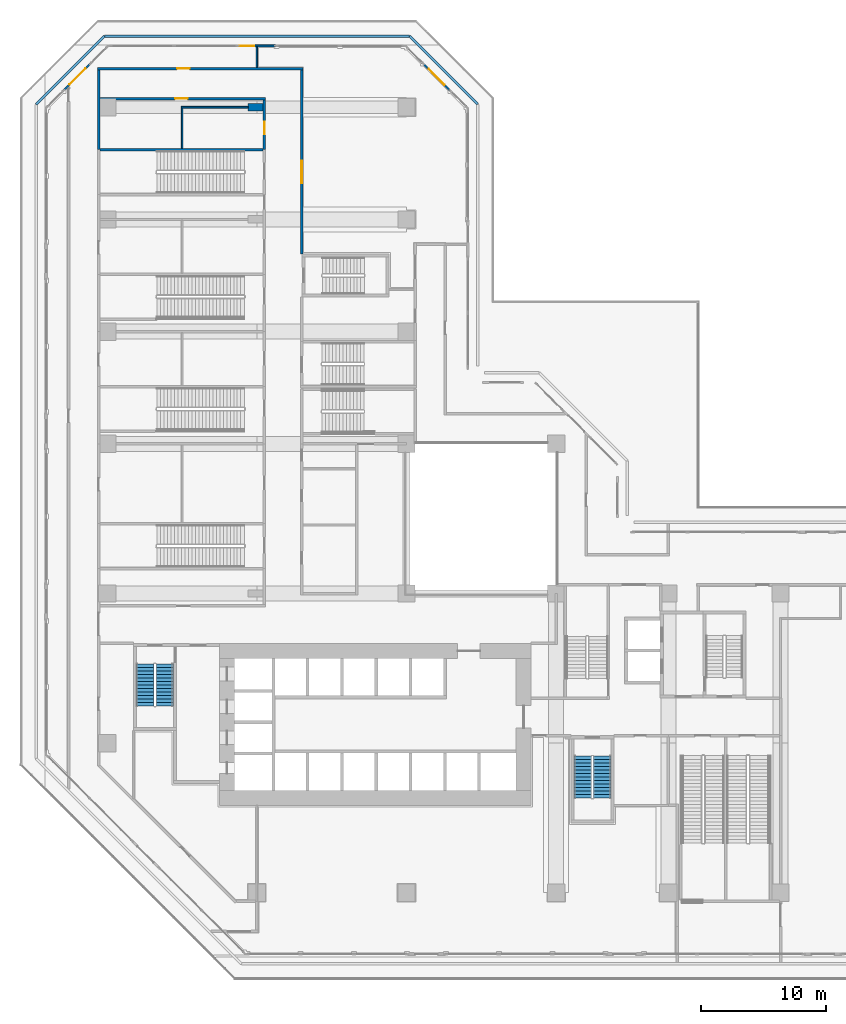
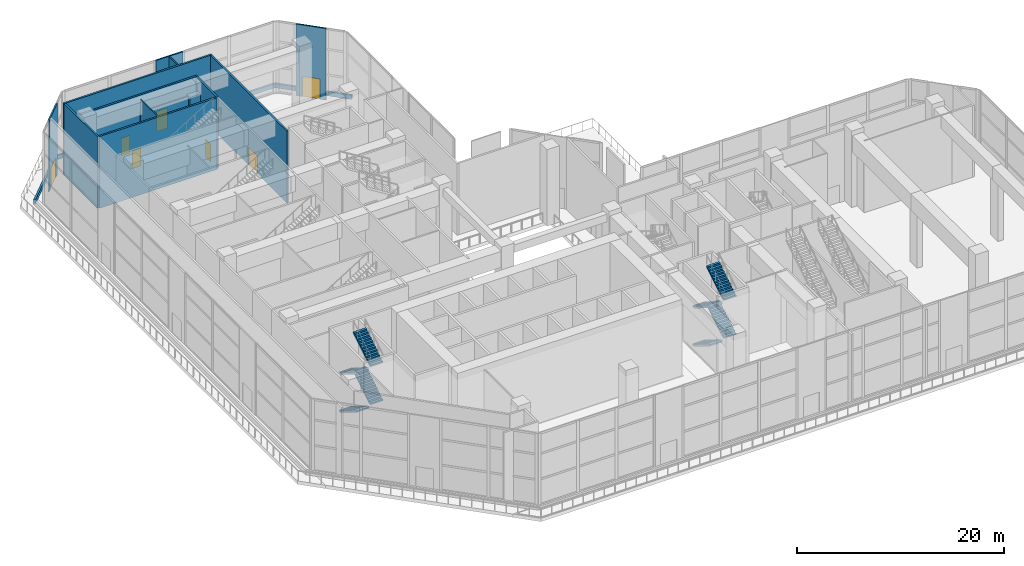
# One storey, part 18 of 28: 16 walls, 8 stair flights, 7 doors, 7 openings, 2 elements without a shape of their own.
"""IFC4 building model written with IfcOpenShell, lengths in metres."""

import ifcopenshell
import ifcopenshell.guid

model = None  # the IFC model being written
_history = None  # IfcOwnerHistory: only IFC2X3 demands one
_inside = {}  # id of a spatial element -> (the spatial element, [elements in it])
_under = {}  # id of a project, library or spatial element -> (it, [spatial elements below it])
_declared = {}  # id of a project -> (the project, [libraries it declares])
_typed = {}  # id of a type object -> (the type object, [elements of that type])
_made_of = {}  # id of a material, layer set ... -> (it, [elements and type objects made of it])


def new_model(schema):
    """Start an empty IFC model of exactly this schema.

    Asked for "IFC4X3", IfcOpenShell would pick the latest addendum, in which some entities
    have other attributes; the version numbers below select the first issue.
    IFC2X3 requires an IfcOwnerHistory on every rooted entity: one is made here for all.
    """
    global model, _history
    if schema == "IFC4X3":
        model = ifcopenshell.file(schema_version=(4, 3, 0, 0))
    else:
        model = ifcopenshell.file(schema=schema)
    _inside.clear()
    _under.clear()
    _declared.clear()
    _typed.clear()
    _made_of.clear()
    _history = None
    if model.schema == "IFC2X3":
        org = make("IfcOrganization", Name="unknown")
        user = make(
            "IfcPersonAndOrganization",
            ThePerson=make("IfcPerson", FamilyName="unknown"),
            TheOrganization=org,
        )
        app = make(
            "IfcApplication",
            ApplicationDeveloper=org,
            Version="unknown",
            ApplicationFullName="unknown",
            ApplicationIdentifier="unknown",
        )
        _history = make(
            "IfcOwnerHistory",
            OwningUser=user,
            OwningApplication=app,
            ChangeAction="ADDED",
            CreationDate=0,
        )
    return model


def make(cls, **values):
    """One entity of the class cls with the attributes given. An attribute that is None is left unset."""
    return model.create_entity(
        cls, **{name: value for name, value in values.items() if value is not None}
    )


def rooted(cls, **values):
    """An entity with a GlobalId (a new one), such as an element, a storey or a relation."""
    return make(cls, GlobalId=ifcopenshell.guid.new(), OwnerHistory=_history, **values)


def si_unit(unit_type, name, prefix=None):
    """IfcSIUnit, for example si_unit("LENGTHUNIT", "METRE", prefix="MILLI")."""
    return make("IfcSIUnit", UnitType=unit_type, Prefix=prefix, Name=name)


def assignment(units):
    """IfcUnitAssignment: the units of a project."""
    return None if units is None else make("IfcUnitAssignment", Units=units)


def point(xyz):
    """IfcCartesianPoint."""
    return None if xyz is None else make("IfcCartesianPoint", Coordinates=xyz)


def direction(xyz):
    """IfcDirection."""
    return None if xyz is None else make("IfcDirection", DirectionRatios=xyz)


def frame(location, z_axis=None, x_axis=None):
    """IfcAxis2Placement3D, a coordinate frame: its origin and axes. An axis left out is left unset."""
    return make(
        "IfcAxis2Placement3D",
        Location=point(location),
        Axis=direction(z_axis),
        RefDirection=direction(x_axis),
    )


def frame_2d(location, x_axis=None):
    """IfcAxis2Placement2D, a coordinate frame in the plane: its origin and x axis."""
    return make(
        "IfcAxis2Placement2D", Location=point(location), RefDirection=direction(x_axis)
    )


def origin():
    """The frame at (0, 0, 0) with its axes left unset."""
    return frame((0.0, 0.0, 0.0))


def place(relative_to, where):
    """IfcLocalPlacement: puts the frame where relative to a parent placement (None: the world)."""
    return make(
        "IfcLocalPlacement", PlacementRelTo=relative_to, RelativePlacement=where
    )


def context(
    kind, dimensions, precision=None, world=None, true_north=None, identifier=None
):
    """IfcGeometricRepresentationContext, for example the 3D "Model" context."""
    return make(
        "IfcGeometricRepresentationContext",
        ContextIdentifier=identifier,
        ContextType=kind,
        CoordinateSpaceDimension=dimensions,
        Precision=precision,
        WorldCoordinateSystem=world,
        TrueNorth=true_north,
    )


def subcontext(parent, identifier, kind, view, scale=None):
    """IfcGeometricRepresentationSubContext, for example "Body" below "Model"."""
    return make(
        "IfcGeometricRepresentationSubContext",
        ContextIdentifier=identifier,
        ContextType=kind,
        ParentContext=parent,
        TargetScale=scale,
        TargetView=view,
    )


def project(units=None, contexts=None):
    """IfcProject with its units and contexts."""
    return rooted(
        "IfcProject",
        Name="project",
        RepresentationContexts=contexts,
        UnitsInContext=assignment(units),
    )


def spatial(cls, under=None, at=None, **own):
    """A site, building, storey or space (cls), placed at a placement, below another one or the project."""
    s = rooted(cls, ObjectPlacement=at, **own)
    if under is not None:
        _under.setdefault(under.id(), (under, []))[1].append(s)
    return s


def polyline(points):
    """IfcPolyline through the points."""
    return make("IfcPolyline", Points=[point(p) for p in points])


def profile(cls, at=None, kind="AREA", **sizes):
    """A parametric profile (cls). Its sizes go by their IFC names, for example OverallWidth=200.0."""
    return make(cls, ProfileType=kind, Position=at, **sizes)


def rectangle(**sizes):
    """IfcRectangleProfileDef."""
    return profile("IfcRectangleProfileDef", **sizes)


def outline(outer, holes=None, kind="AREA"):
    """IfcArbitraryClosedProfileDef: a profile drawn as a closed curve; with holes, ...WithVoids."""
    if holes is None:
        return make("IfcArbitraryClosedProfileDef", ProfileType=kind, OuterCurve=outer)
    return make(
        "IfcArbitraryProfileDefWithVoids",
        ProfileType=kind,
        OuterCurve=outer,
        InnerCurves=holes,
    )


def extrude(swept, where, along, depth):
    """IfcExtrudedAreaSolid: the profile swept, set in the frame where, extruded along a direction by depth."""
    return make(
        "IfcExtrudedAreaSolid",
        SweptArea=swept,
        Position=where,
        ExtrudedDirection=direction(along),
        Depth=depth,
    )


def shape(context_of_items, identifier, shape_type, items):
    """IfcShapeRepresentation: the items that make up one representation, for example the "Body"."""
    return make(
        "IfcShapeRepresentation",
        ContextOfItems=context_of_items,
        RepresentationIdentifier=identifier,
        RepresentationType=shape_type,
        Items=items,
    )


def material(Name=None, Category=None):
    """IfcMaterial."""
    return make("IfcMaterial", Name=Name, Category=Category)


def layer(
    of_material, thickness, ventilated=None, Name=None, Category=None, Priority=None
):
    """IfcMaterialLayer: one layer of a wall or slab, of a material (None: an air gap)."""
    return make(
        "IfcMaterialLayer",
        Material=of_material,
        LayerThickness=thickness,
        IsVentilated=ventilated,
        Name=Name,
        Category=Category,
        Priority=Priority,
    )


def layer_set(layers, Name=None):
    """IfcMaterialLayerSet."""
    return make("IfcMaterialLayerSet", MaterialLayers=layers, LayerSetName=Name)


def made_of(thing, what):
    """Note that an element or type object is made of a material, layer set ...; save() writes the relation."""
    if what is not None:
        _made_of.setdefault(what.id(), (what, []))[1].append(thing)
    return thing


def type_object(cls, material=None, **own):
    """A type object (cls), such as IfcWallType, which elements share."""
    return made_of(rooted(cls, **own), material)


def element(
    cls,
    number,
    at=None,
    inside=None,
    cuts=None,
    type_object=None,
    material=None,
    context=None,
    identifier="Body",
    shape_type=None,
    held_by="IfcProductDefinitionShape",
    body=None,
    shapes=None,
    **own,
):
    """One element of the class cls, such as IfcWall. Its Tag is "e" and its number.

    at: its placement. inside: the storey or other place that contains it. cuts: it is an
    opening in that element (IfcRelVoidsElement). A single representation is given by context,
    identifier, shape_type and body (its items); several are given by shapes. held_by: the class
    of the entity that holds the representations. save() writes the other relations.
    """
    e = rooted(cls, Tag="e%d" % number, ObjectPlacement=at, **own)
    if body is not None:
        shapes = [shape(context, identifier, shape_type, body)]
    if shapes is not None:
        e.Representation = make(held_by, Representations=shapes)
    if inside is not None:
        _inside.setdefault(inside.id(), (inside, []))[1].append(e)
    if cuts is not None:
        rooted(
            "IfcRelVoidsElement", RelatingBuildingElement=cuts, RelatedOpeningElement=e
        )
    if type_object is not None:
        _typed.setdefault(type_object.id(), (type_object, []))[1].append(e)
    return made_of(e, material)


def fill(opening, filler):
    """IfcRelFillsElement: the door or window that sits in an opening."""
    return rooted(
        "IfcRelFillsElement",
        RelatingOpeningElement=opening,
        RelatedBuildingElement=filler,
    )


def aggregate(whole, parts):
    """IfcRelAggregates: a whole, such as a stair, and the parts it consists of."""
    return rooted("IfcRelAggregates", RelatingObject=whole, RelatedObjects=parts)


def save(model, path):
    """Write the relations noted so far, then the file.

    IfcRelAggregates (storeys below a building ...), IfcRelContainedInSpatialStructure (elements
    in a storey), IfcRelDefinesByType, IfcRelAssociatesMaterial and IfcRelDeclares: one each for
    every whole, place, type object, material and project.
    """
    for whole, parts in _under.values():
        aggregate(whole, parts)
    for where, things in _inside.values():
        rooted(
            "IfcRelContainedInSpatialStructure",
            RelatedElements=things,
            RelatingStructure=where,
        )
    for kind, things in _typed.values():
        rooted("IfcRelDefinesByType", RelatedObjects=things, RelatingType=kind)
    for what, things in _made_of.values():
        rooted("IfcRelAssociatesMaterial", RelatedObjects=things, RelatingMaterial=what)
    for by, libraries in _declared.values():
        rooted("IfcRelDeclares", RelatingContext=by, RelatedDefinitions=libraries)
    model.write(path)


model = new_model("IFC4")

# Units and contexts
model_context = context("Model", 3, precision=1e-05, world=origin(), true_north=direction((0.0, 1.0)))
body_context = subcontext(model_context, "Body", "Model", "MODEL_VIEW")
ifc_project = project(units=[si_unit("LENGTHUNIT", "METRE"), si_unit("AREAUNIT", "SQUARE_METRE"), si_unit("VOLUMEUNIT", "CUBIC_METRE"), si_unit("PLANEANGLEUNIT", "RADIAN"), si_unit("MASSUNIT", "GRAM", prefix="KILO")], contexts=[model_context])

# Site, building, storey
site_placement = place(None, origin())
site = spatial("IfcSite", under=ifc_project, at=site_placement, CompositionType="ELEMENT")
building_placement = place(site_placement, origin())
building = spatial("IfcBuilding", under=site, at=building_placement, Name="Chenar Terraces", CompositionType="ELEMENT")
storey_placement = place(building_placement, frame((0.0, 0.0, 26.39990234375)))
storey = spatial("IfcBuildingStorey", under=building, at=storey_placement, Name="L05", CompositionType="ELEMENT", Elevation=26.39990234375)

# Walls
ifc_material_1 = material(Name="Gypsum board on steel studs with mineral wool", Category="steel")
ifc_layer_1 = layer(ifc_material_1, 0.125)
ifc_layer_set_1 = layer_set([ifc_layer_1], Name="Gypsum board on steel studs with mineral wool")
wall_type_1 = type_object("IfcWallType", Name="Acoustic partition 125", PredefinedType="PARTITIONING", material=ifc_layer_set_1)
wall_1_placement = place(storey_placement, frame((5.93798828125, 63.0, 0.0), z_axis=(0.0, 0.0, 1.0), x_axis=(1.0, 0.0, 0.0)))
element("IfcWall", 1, at=wall_1_placement, inside=storey, type_object=wall_type_1, Name="Partition L05-026", PredefinedType="PARTITIONING", context=body_context, shape_type="SweptSolid", body=[
    extrude(rectangle(XDim=5.362060546875, YDim=0.125, at=frame_2d((2.68115234375, 0.0))), origin(), (0.0, 0.0, 1.0), 6.9501953125),
])
wall_2_placement = place(storey_placement, frame((6.0, 59.699951171875, 0.0), z_axis=(0.0, 0.0, 1.0), x_axis=(0.0, 1.0, 0.0)))
element("IfcWall", 2, at=wall_2_placement, inside=storey, type_object=wall_type_1, Name="Partition L05-030", PredefinedType="PARTITIONING", context=body_context, shape_type="SweptSolid", body=[
    extrude(rectangle(XDim=3.238037109375, YDim=0.125, at=frame_2d((1.619140625, 0.0))), origin(), (0.0, 0.0, 1.0), 8.4501953125),
])
wall_3_placement = place(storey_placement, frame((12.0, 66.199951171875, 0.0), z_axis=(0.0, 0.0, 1.0), x_axis=(0.0, 1.0, 0.0)))
element("IfcWall", 3, at=wall_3_placement, inside=storey, type_object=wall_type_1, Name="Partition L05-035", PredefinedType="PARTITIONING", context=body_context, shape_type="SweptSolid", body=[
    extrude(rectangle(XDim=1.651123046875, YDim=0.125, at=frame_2d((0.82568359375, 0.0))), origin(), (0.0, 0.0, 1.0), 8.4501953125),
])

# Wall, opening, door
ifc_material_2 = material(Name="Gypsum board on steel studs with fire boards", Category="steel")
ifc_layer_2 = layer(ifc_material_2, 0.199951171875)
ifc_layer_set_2 = layer_set([ifc_layer_2], Name="Gypsum board on steel studs with fire boards")
wall_type_2 = type_object("IfcWallType", Name="Corridor wall 200", PredefinedType="PARTITIONING", material=ifc_layer_set_2)
wall_4_placement = place(storey_placement, frame((-0.800048828125, 66.10009765625, 0.0), z_axis=(0.0, 0.0, 1.0), x_axis=(1.0, 0.0, 0.0)))
wall_4 = element("IfcWall", 4, at=wall_4_placement, inside=storey, type_object=wall_type_2, Name="Partition L05-002", PredefinedType="PARTITIONING", context=body_context, shape_type="SweptSolid", body=[
    extrude(rectangle(XDim=16.5, YDim=0.199951171875, at=frame_2d((8.25, 0.0))), origin(), (0.0, 0.0, 1.0), 8.4501953125),
])
opening_1_placement = place(wall_4_placement, frame((6.39990234375, 0.0, 0.0)))
opening_1 = element("IfcOpeningElement", 5, at=opening_1_placement, cuts=wall_4, Name="Opening DL05-27", PredefinedType="OPENING", context=body_context, shape_type="SweptSolid", body=[
    extrude(rectangle(XDim=1.0, YDim=2.10009765625, at=frame_2d((0.5, 1.050048828125))), frame((0.0, 0.10986328125, 0.0), z_axis=(0.0, -1.0, 0.0), x_axis=(1.0, 0.0, 0.0)), (0.0, 0.0, 1.0), 0.219970703125),
])
ifc_material_3 = material(Name="Steel-framed fire-resisting door leaf", Category="steel")
door_type_1 = type_object("IfcDoorType", Name="Fire door FD60 1000 x 2100", OperationType="SINGLE_SWING_LEFT", PredefinedType="DOOR", material=ifc_material_3)
door_1_placement = place(opening_1_placement, origin())
door_1 = element("IfcDoor", 6, at=door_1_placement, inside=storey, type_object=door_type_1, Name="Door DL05-27", OperationType="SINGLE_SWING_RIGHT", OverallHeight=2.10009765625, OverallWidth=1.0, PredefinedType="DOOR", context=body_context, shape_type="SweptSolid", body=[
    extrude(rectangle(XDim=1.0, YDim=2.10009765625, at=frame_2d((0.5, 1.050048828125))), frame((0.0, 0.02490234375, 0.0), z_axis=(0.0, -1.0, 0.0), x_axis=(1.0, 0.0, 0.0)), (0.0, 0.0, 1.0), 0.050048828125),
])
fill(opening_1, door_1)

# Wall
wall_5_placement = place(storey_placement, frame((-0.699951171875, 59.60009765625, 0.0), z_axis=(0.0, 0.0, 1.0), x_axis=(0.0, 1.0, 0.0)))
element("IfcWall", 7, at=wall_5_placement, inside=storey, type_object=wall_type_2, Name="Partition L05-011", PredefinedType="PARTITIONING", context=body_context, shape_type="SweptSolid", body=[
    extrude(rectangle(XDim=6.39990234375, YDim=0.199951171875, at=frame_2d((3.199951171875, 0.0))), origin(), (0.0, 0.0, 1.0), 8.4501953125),
])

# Wall, opening, door
wall_6_placement = place(storey_placement, frame((-0.60009765625, 63.699951171875, 0.0), z_axis=(0.0, 0.0, 1.0), x_axis=(1.0, 0.0, 0.0)))
wall_6 = element("IfcWall", 8, at=wall_6_placement, inside=storey, type_object=wall_type_2, Name="Partition L05-024", PredefinedType="PARTITIONING", context=body_context, shape_type="SweptSolid", body=[
    extrude(rectangle(XDim=13.300048828125, YDim=0.199951171875, at=frame_2d((6.64990234375, 0.0))), origin(), (0.0, 0.0, 1.0), 8.4501953125),
])
opening_2_placement = place(wall_6_placement, frame((6.050048828125, 0.0, 0.0)))
opening_2 = element("IfcOpeningElement", 9, at=opening_2_placement, cuts=wall_6, Name="Opening DL05-13", PredefinedType="OPENING", context=body_context, shape_type="SweptSolid", body=[
    extrude(rectangle(XDim=1.0, YDim=2.10009765625, at=frame_2d((0.5, 1.050048828125))), frame((0.0, 0.10986328125, 0.0), z_axis=(0.0, -1.0, 0.0), x_axis=(1.0, 0.0, 0.0)), (0.0, 0.0, 1.0), 0.219970703125),
])
door_2_placement = place(opening_2_placement, origin())
door_2 = element("IfcDoor", 10, at=door_2_placement, inside=storey, type_object=door_type_1, Name="Door DL05-13", OperationType="SINGLE_SWING_RIGHT", OverallHeight=2.10009765625, OverallWidth=1.0, PredefinedType="DOOR", context=body_context, shape_type="SweptSolid", body=[
    extrude(rectangle(XDim=1.0, YDim=2.10009765625, at=frame_2d((0.5, 1.050048828125))), frame((0.0, 0.02490234375, 0.0), z_axis=(0.0, -1.0, 0.0), x_axis=(1.0, 0.0, 0.0)), (0.0, 0.0, 1.0), 0.050048828125),
])
fill(opening_2, door_2)

wall_7_placement = place(storey_placement, frame((12.60009765625, 59.60009765625, 0.0), z_axis=(0.0, 0.0, 1.0), x_axis=(0.0, 1.0, 0.0)))
wall_7 = element("IfcWall", 11, at=wall_7_placement, inside=storey, type_object=wall_type_2, Name="Partition L05-044", PredefinedType="PARTITIONING", context=body_context, shape_type="SweptSolid", body=[
    extrude(rectangle(XDim=4.0, YDim=0.199951171875, at=frame_2d((2.0, 0.0))), origin(), (0.0, 0.0, 1.0), 8.4501953125),
])
opening_3_placement = place(wall_7_placement, frame((1.25, 0.0, 0.0)))
opening_3 = element("IfcOpeningElement", 12, at=opening_3_placement, cuts=wall_7, Name="Opening DL05-8", PredefinedType="OPENING", context=body_context, shape_type="SweptSolid", body=[
    extrude(rectangle(XDim=1.0, YDim=2.10009765625, at=frame_2d((0.5, 1.050048828125))), frame((0.0, 0.10986328125, 0.0), z_axis=(0.0, -1.0, 0.0), x_axis=(1.0, 0.0, 0.0)), (0.0, 0.0, 1.0), 0.219970703125),
])
door_3_placement = place(opening_3_placement, origin())
door_3 = element("IfcDoor", 13, at=door_3_placement, inside=storey, type_object=door_type_1, Name="Door DL05-8", OperationType="SINGLE_SWING_RIGHT", OverallHeight=2.10009765625, OverallWidth=1.0, PredefinedType="DOOR", context=body_context, shape_type="SweptSolid", body=[
    extrude(rectangle(XDim=1.0, YDim=2.10009765625, at=frame_2d((0.5, 1.050048828125))), frame((0.0, 0.02490234375, 0.0), z_axis=(0.0, -1.0, 0.0), x_axis=(1.0, 0.0, 0.0)), (0.0, 0.0, 1.0), 0.050048828125),
])
fill(opening_3, door_3)

wall_8_placement = place(storey_placement, frame((15.60009765625, 51.22509765625, 0.0), z_axis=(0.0, 0.0, 1.0), x_axis=(0.0, 1.0, 0.0)))
wall_8 = element("IfcWall", 14, at=wall_8_placement, inside=storey, type_object=wall_type_2, Name="Partition L05-050", PredefinedType="PARTITIONING", context=body_context, shape_type="SweptSolid", body=[
    extrude(rectangle(XDim=14.77490234375, YDim=0.199951171875, at=frame_2d((7.387451171875, 0.0))), origin(), (0.0, 0.0, 1.0), 8.4501953125),
])
opening_4_placement = place(wall_8_placement, frame((5.675048828125, 0.0, 0.0)))
opening_4 = element("IfcOpeningElement", 15, at=opening_4_placement, cuts=wall_8, Name="Opening DL05-20", PredefinedType="OPENING", context=body_context, shape_type="SweptSolid", body=[
    extrude(rectangle(XDim=1.800048828125, YDim=2.10009765625, at=frame_2d((0.89990234375, 1.050048828125))), frame((0.0, 0.10986328125, 0.0), z_axis=(0.0, -1.0, 0.0), x_axis=(1.0, 0.0, 0.0)), (0.0, 0.0, 1.0), 0.219970703125),
])
ifc_material_4 = material(Name="Steel-framed fire-resisting door leaf", Category="steel")
door_type_2 = type_object("IfcDoorType", Name="Fire double door FD60 1800 x 2100", OperationType="DOUBLE_DOOR_SINGLE_SWING", PredefinedType="DOOR", material=ifc_material_4)
door_4_placement = place(opening_4_placement, origin())
door_4 = element("IfcDoor", 16, at=door_4_placement, inside=storey, type_object=door_type_2, Name="Door DL05-20", OperationType="DOUBLE_DOOR_SINGLE_SWING", OverallHeight=2.10009765625, OverallWidth=1.800048828125, PredefinedType="DOOR", context=body_context, shape_type="SweptSolid", body=[
    extrude(rectangle(XDim=1.800048828125, YDim=2.10009765625, at=frame_2d((0.89990234375, 1.050048828125))), frame((0.0, 0.02490234375, 0.0), z_axis=(0.0, -1.0, 0.0), x_axis=(1.0, 0.0, 0.0)), (0.0, 0.0, 1.0), 0.050048828125),
])
fill(opening_4, door_4)

ifc_material_5 = material(Name="Aluminium framed glazing", Category="aluminium")
ifc_layer_3 = layer(ifc_material_5, 0.14990234375)
ifc_layer_set_3 = layer_set([ifc_layer_3], Name="Aluminium framed glazing")
wall_type_3 = type_object("IfcWallType", Name="Podium glazed wall 150", PredefinedType="SOLIDWALL", material=ifc_layer_set_3)
wall_9_placement = place(storey_placement, frame((27.482421875, 64.361083984375, 0.0), z_axis=(0.0, 0.0, 1.0), x_axis=(-0.707106781187, 0.707106781187, 0.0)))
wall_9 = element("IfcWall", 17, at=wall_9_placement, inside=storey, type_object=wall_type_3, Name="Podium glazed wall", PredefinedType="SOLIDWALL", context=body_context, shape_type="SweptSolid", body=[
    extrude(rectangle(XDim=3.0, YDim=0.14990234375, at=frame_2d((1.5, 0.0))), origin(), (0.0, 0.0, 1.0), 8.4501953125),
])
opening_5_placement = place(wall_9_placement, frame((0.60009765625, 0.0, 0.0)))
opening_5 = element("IfcOpeningElement", 18, at=opening_5_placement, cuts=wall_9, Name="Opening DL05-T1", PredefinedType="OPENING", context=body_context, shape_type="SweptSolid", body=[
    extrude(rectangle(XDim=1.800048828125, YDim=2.39990234375, at=frame_2d((0.89990234375, 1.199951171875))), frame((0.0, 0.0849609375, 0.0), z_axis=(0.0, -1.0, 0.0), x_axis=(1.0, 0.0, 0.0)), (0.0, 0.0, 1.0), 0.169921875),
])
ifc_material_6 = material(Name="Low emissivity double glazing, aluminium frame", Category="aluminium")
door_type_3 = type_object("IfcDoorType", Name="Terrace glazed double door 1800 x 2400", OperationType="DOUBLE_DOOR_SINGLE_SWING", PredefinedType="DOOR", material=ifc_material_6)
door_5_placement = place(opening_5_placement, frame((1.800048828125, 0.0, 0.0), z_axis=(0.0, 0.0, 1.0), x_axis=(-1.0, 0.0, 0.0)))
door_5 = element("IfcDoor", 19, at=door_5_placement, inside=storey, type_object=door_type_3, Name="Terrace glazed door", OperationType="DOUBLE_DOOR_SINGLE_SWING", OverallHeight=2.39990234375, OverallWidth=1.800048828125, PredefinedType="DOOR", context=body_context, shape_type="SweptSolid", body=[
    extrude(rectangle(XDim=1.800048828125, YDim=2.39990234375, at=frame_2d((0.89990234375, 1.199951171875))), frame((0.0, 0.02490234375, 0.0), z_axis=(0.0, -1.0, 0.0), x_axis=(1.0, 0.0, 0.0)), (0.0, 0.0, 1.0), 0.050048828125),
])
fill(opening_5, door_5)

wall_10_placement = place(storey_placement, frame((13.5, 67.925048828125, 0.0), z_axis=(0.0, 0.0, 1.0), x_axis=(-1.0, 0.0, 0.0)))
wall_10 = element("IfcWall", 20, at=wall_10_placement, inside=storey, type_object=wall_type_3, Name="Podium glazed wall", PredefinedType="SOLIDWALL", context=body_context, shape_type="SweptSolid", body=[
    extrude(rectangle(XDim=3.0, YDim=0.14990234375, at=frame_2d((1.5, 0.0))), origin(), (0.0, 0.0, 1.0), 8.4501953125),
])
opening_6_placement = place(wall_10_placement, frame((1.699951171875, 0.0, 0.0)))
opening_6 = element("IfcOpeningElement", 21, at=opening_6_placement, cuts=wall_10, Name="Opening DL05-T1N", PredefinedType="OPENING", context=body_context, shape_type="SweptSolid", body=[
    extrude(rectangle(XDim=1.199951171875, YDim=2.39990234375, at=frame_2d((0.60009765625, 1.199951171875))), frame((0.0, 0.0849609375, 0.0), z_axis=(0.0, -1.0, 0.0), x_axis=(1.0, 0.0, 0.0)), (0.0, 0.0, 1.0), 0.169921875),
])
ifc_material_7 = material(Name="Low emissivity double glazing, aluminium frame", Category="aluminium")
door_type_4 = type_object("IfcDoorType", Name="Terrace glazed door 1200 x 2400", OperationType="SINGLE_SWING_LEFT", PredefinedType="DOOR", material=ifc_material_7)
door_6_placement = place(opening_6_placement, frame((1.199951171875, 0.0, 0.0), z_axis=(0.0, 0.0, 1.0), x_axis=(-1.0, 0.0, 0.0)))
door_6 = element("IfcDoor", 22, at=door_6_placement, inside=storey, type_object=door_type_4, Name="Terrace glazed door", OperationType="DOUBLE_DOOR_SINGLE_SWING", OverallHeight=2.39990234375, OverallWidth=1.199951171875, PredefinedType="DOOR", context=body_context, shape_type="SweptSolid", body=[
    extrude(rectangle(XDim=1.199951171875, YDim=2.39990234375, at=frame_2d((0.60009765625, 1.199951171875))), frame((0.0, 0.02490234375, 0.0), z_axis=(0.0, -1.0, 0.0), x_axis=(1.0, 0.0, 0.0)), (0.0, 0.0, 1.0), 0.050048828125),
])
fill(opening_6, door_6)

wall_11_placement = place(storey_placement, frame((-1.361083984375, 66.482421875, 0.0), z_axis=(0.0, 0.0, 1.0), x_axis=(-0.707106781187, -0.707106781187, 0.0)))
wall_11 = element("IfcWall", 23, at=wall_11_placement, inside=storey, type_object=wall_type_3, Name="Podium glazed wall", PredefinedType="SOLIDWALL", context=body_context, shape_type="SweptSolid", body=[
    extrude(rectangle(XDim=3.0, YDim=0.14990234375, at=frame_2d((1.5, 0.0))), origin(), (0.0, 0.0, 1.0), 8.4501953125),
])
opening_7_placement = place(wall_11_placement, frame((0.550048828125, 0.0, 0.0)))
opening_7 = element("IfcOpeningElement", 24, at=opening_7_placement, cuts=wall_11, Name="Opening DL05-T1", PredefinedType="OPENING", context=body_context, shape_type="SweptSolid", body=[
    extrude(rectangle(XDim=1.800048828125, YDim=2.39990234375, at=frame_2d((0.89990234375, 1.199951171875))), frame((0.0, 0.0849609375, 0.0), z_axis=(0.0, -1.0, 0.0), x_axis=(1.0, 0.0, 0.0)), (0.0, 0.0, 1.0), 0.169921875),
])
door_7_placement = place(opening_7_placement, origin())
door_7 = element("IfcDoor", 25, at=door_7_placement, inside=storey, type_object=door_type_3, Name="Terrace glazed door", OperationType="DOUBLE_DOOR_SINGLE_SWING", OverallHeight=2.39990234375, OverallWidth=1.800048828125, PredefinedType="DOOR", context=body_context, shape_type="SweptSolid", body=[
    extrude(rectangle(XDim=1.800048828125, YDim=2.39990234375, at=frame_2d((0.89990234375, 1.199951171875))), frame((0.0, 0.02490234375, 0.0), z_axis=(0.0, -1.0, 0.0), x_axis=(1.0, 0.0, 0.0)), (0.0, 0.0, 1.0), 0.050048828125),
])
fill(opening_7, door_7)

# Walls
ifc_material_8 = material(Name="Reinforced concrete C40/50", Category="concrete")
ifc_layer_4 = layer(ifc_material_8, 0.199951171875)
ifc_layer_set_4 = layer_set([ifc_layer_4], Name="Reinforced concrete C40/50")
wall_type_4 = type_object("IfcWallType", Name="Stair enclosure wall 200 concrete", PredefinedType="SOLIDWALL", material=ifc_layer_set_4)
wall_12_placement = place(storey_placement, frame((-0.60009765625, 59.60009765625, 0.0), z_axis=(0.0, 0.0, 1.0), x_axis=(1.0, 0.0, 0.0)))
element("IfcWall", 26, at=wall_12_placement, inside=storey, type_object=wall_type_4, Name="Stair enclosure wall L05-023", PredefinedType="SOLIDWALL", context=body_context, shape_type="SweptSolid", body=[
    extrude(rectangle(XDim=13.10009765625, YDim=0.199951171875, at=frame_2d((6.550048828125, 0.0))), origin(), (0.0, 0.0, 1.0), 8.4501953125),
])
ifc_material_9 = material(Name="Terracotta cladding on insulated backing", Category="masonry")
ifc_layer_5 = layer(ifc_material_9, 0.199951171875)
ifc_layer_set_5 = layer_set([ifc_layer_5], Name="Terracotta cladding on insulated backing")
wall_type_5 = type_object("IfcWallType", Name="Terrace parapet upstand 200", PredefinedType="PARAPET", material=ifc_layer_set_5)
wall_13_placement = place(storey_placement, frame((-5.699951171875, 63.23974609375, 0.0), z_axis=(0.0, 0.0, 1.0), x_axis=(0.707106781187, 0.707106781187, 0.0)))
element("IfcWall", 27, at=wall_13_placement, inside=storey, type_object=wall_type_5, Name="Terrace parapet", PredefinedType="PARAPET", context=body_context, shape_type="SweptSolid", body=[
    extrude(rectangle(XDim=7.721923828125, YDim=0.199951171875, at=frame_2d((3.86083984375, 0.0))), origin(), (0.0, 0.0, 1.0), 0.5),
])
wall_14_placement = place(storey_placement, frame((-0.23974609375, 68.699951171875, 0.0), z_axis=(0.0, 0.0, 1.0), x_axis=(1.0, 0.0, 0.0)))
element("IfcWall", 28, at=wall_14_placement, inside=storey, type_object=wall_type_5, Name="Terrace parapet", PredefinedType="PARAPET", context=body_context, shape_type="SweptSolid", body=[
    extrude(rectangle(XDim=24.4794921875, YDim=0.199951171875, at=frame_2d((12.23974609375, 0.0))), origin(), (0.0, 0.0, 1.0), 0.5),
])
wall_15_placement = place(storey_placement, frame((24.23974609375, 68.699951171875, 0.0), z_axis=(0.0, 0.0, 1.0), x_axis=(0.707106781187, -0.707106781187, 0.0)))
element("IfcWall", 29, at=wall_15_placement, inside=storey, type_object=wall_type_5, Name="Terrace parapet", PredefinedType="PARAPET", context=body_context, shape_type="SweptSolid", body=[
    extrude(rectangle(XDim=7.721923828125, YDim=0.199951171875, at=frame_2d((3.86083984375, 0.0))), origin(), (0.0, 0.0, 1.0), 0.5),
])
ifc_material_10 = material(Name="Reinforced concrete C60/75", Category="concrete")
ifc_layer_6 = layer(ifc_material_10, 0.60009765625)
ifc_layer_set_6 = layer_set([ifc_layer_6], Name="Reinforced concrete C60/75")
wall_type_6 = type_object("IfcWallType", Name="Transfer pier wall 600 concrete", PredefinedType="SOLIDWALL", material=ifc_layer_set_6)
wall_16_placement = place(storey_placement, frame((11.300048828125, 63.0, 0.0), z_axis=(0.0, 0.0, 1.0), x_axis=(1.0, 0.0, 0.0)))
element("IfcWall", 30, at=wall_16_placement, inside=storey, type_object=wall_type_6, Name="Transfer pier wall L05-P03", PredefinedType="SOLIDWALL", context=body_context, shape_type="SweptSolid", body=[
    extrude(rectangle(XDim=1.199951171875, YDim=0.60009765625, at=frame_2d((0.60009765625, 0.0))), origin(), (0.0, 0.0, 1.0), 6.9501953125),
])

# Stair, stair flights
ifc_material_11 = material(Name="Reinforced concrete C40/50", Category="concrete")
stair_type = type_object("IfcStairType", Name="Core stair 1400 half-turn", PredefinedType="HALF_TURN_STAIR", material=ifc_material_11)
placement = place(storey_placement, origin())
stair_1 = element("IfcStair", 31, at=placement, inside=storey, type_object=stair_type, Name="L05 Stair 1", PredefinedType="HALF_TURN_STAIR")
ifc_material_12 = material(Name="Reinforced concrete C40/50", Category="concrete")
stair_flight_type = type_object("IfcStairFlightType", Name="Core stair flight 1400", PredefinedType="STRAIGHT", material=ifc_material_12)
stair_flight_1_placement = place(storey_placement, frame((3.050048828125, 18.35009765625, 0.0), z_axis=(0.0, 0.0, 1.0), x_axis=(0.0, -1.0, 0.0)))
stair_flight_1 = element("IfcStairFlight", 32, at=stair_flight_1_placement, type_object=stair_flight_type, Name="ST1 flight 1", NumberOfRisers=13, NumberOfTreads=12, PredefinedType="STRAIGHT", RiserHeight=0.173076923, TreadLength=0.28, context=body_context, shape_type="SweptSolid", body=[
    extrude(outline(polyline([(-0.0029296875, 0.0), (-0.0029296875, 0.173095703125), (0.0, 0.173095703125), (0.280029296875, 0.173095703125), (0.280029296875, 0.34619140625), (0.56005859375, 0.34619140625), (0.56005859375, 0.519287109375), (0.840087890625, 0.519287109375), (0.840087890625, 0.6923828125), (1.1201171875, 0.6923828125), (1.1201171875, 0.865478515625), (1.39990234375, 0.865478515625), (1.39990234375, 1.03857421875), (1.679931640625, 1.03857421875), (1.679931640625, 1.21142578125), (1.9599609375, 1.21142578125), (1.9599609375, 1.384521484375), (2.239990234375, 1.384521484375), (2.239990234375, 1.5576171875), (2.52001953125, 1.5576171875), (2.52001953125, 1.730712890625), (2.800048828125, 1.730712890625), (2.800048828125, 1.90380859375), (3.080078125, 1.90380859375), (3.080078125, 2.076904296875), (3.360107421875, 2.076904296875), (3.363037109375, 2.076904296875), (3.363037109375, 1.900634765625), (3.360107421875, 1.900634765625), (0.28515625, 0.0), (-0.0029296875, 0.0)])), frame((0.0, 0.699951171875, 0.0), z_axis=(0.0, -1.0, 0.0), x_axis=(1.0, 0.0, 0.0)), (0.0, 0.0, 1.0), 1.39990234375),
])
stair_flight_2_placement = place(storey_placement, frame((4.60009765625, 14.989990234375, 2.25), z_axis=(0.0, 0.0, 1.0), x_axis=(0.0, 1.0, 0.0)))
stair_flight_2 = element("IfcStairFlight", 33, at=stair_flight_2_placement, type_object=stair_flight_type, Name="ST1 flight 2", NumberOfRisers=13, NumberOfTreads=12, PredefinedType="STRAIGHT", RiserHeight=0.173076923, TreadLength=0.28, context=body_context, shape_type="SweptSolid", body=[
    extrude(outline(polyline([(-0.0029296875, 0.0), (-0.0029296875, 0.173095703125), (0.0, 0.173095703125), (0.280029296875, 0.173095703125), (0.280029296875, 0.34619140625), (0.56005859375, 0.34619140625), (0.56005859375, 0.519287109375), (0.840087890625, 0.519287109375), (0.840087890625, 0.6923828125), (1.1201171875, 0.6923828125), (1.1201171875, 0.865478515625), (1.39990234375, 0.865478515625), (1.39990234375, 1.03857421875), (1.679931640625, 1.03857421875), (1.679931640625, 1.21142578125), (1.9599609375, 1.21142578125), (1.9599609375, 1.384521484375), (2.239990234375, 1.384521484375), (2.239990234375, 1.5576171875), (2.52001953125, 1.5576171875), (2.52001953125, 1.730712890625), (2.800048828125, 1.730712890625), (2.800048828125, 1.90380859375), (3.080078125, 1.90380859375), (3.080078125, 2.076904296875), (3.360107421875, 2.076904296875), (3.363037109375, 2.076904296875), (3.363037109375, 1.900634765625), (3.360107421875, 1.900634765625), (0.28515625, 0.0), (-0.0029296875, 0.0)])), frame((0.0, 0.699951171875, 0.0), z_axis=(0.0, -1.0, 0.0), x_axis=(1.0, 0.0, 0.0)), (0.0, 0.0, 1.0), 1.39990234375),
])
stair_flight_3_placement = place(storey_placement, frame((3.050048828125, 18.35009765625, 4.5), z_axis=(0.0, 0.0, 1.0), x_axis=(0.0, -1.0, 0.0)))
stair_flight_3 = element("IfcStairFlight", 34, at=stair_flight_3_placement, type_object=stair_flight_type, Name="ST1 flight 3", NumberOfRisers=13, NumberOfTreads=12, PredefinedType="STRAIGHT", RiserHeight=0.173076923, TreadLength=0.28, context=body_context, shape_type="SweptSolid", body=[
    extrude(outline(polyline([(-0.0029296875, 0.0), (-0.0029296875, 0.173095703125), (0.0, 0.173095703125), (0.280029296875, 0.173095703125), (0.280029296875, 0.34619140625), (0.56005859375, 0.34619140625), (0.56005859375, 0.519287109375), (0.840087890625, 0.519287109375), (0.840087890625, 0.6923828125), (1.1201171875, 0.6923828125), (1.1201171875, 0.865478515625), (1.39990234375, 0.865478515625), (1.39990234375, 1.03857421875), (1.679931640625, 1.03857421875), (1.679931640625, 1.21142578125), (1.9599609375, 1.21142578125), (1.9599609375, 1.384521484375), (2.239990234375, 1.384521484375), (2.239990234375, 1.5576171875), (2.52001953125, 1.5576171875), (2.52001953125, 1.730712890625), (2.800048828125, 1.730712890625), (2.800048828125, 1.90380859375), (3.080078125, 1.90380859375), (3.080078125, 2.076904296875), (3.360107421875, 2.076904296875), (3.363037109375, 2.076904296875), (3.363037109375, 1.900634765625), (3.360107421875, 1.900634765625), (0.28515625, 0.0), (-0.0029296875, 0.0)])), frame((0.0, 0.699951171875, 0.0), z_axis=(0.0, -1.0, 0.0), x_axis=(1.0, 0.0, 0.0)), (0.0, 0.0, 1.0), 1.39990234375),
])
stair_flight_4_placement = place(storey_placement, frame((4.60009765625, 14.989990234375, 6.75), z_axis=(0.0, 0.0, 1.0), x_axis=(0.0, 1.0, 0.0)))
stair_flight_4 = element("IfcStairFlight", 35, at=stair_flight_4_placement, type_object=stair_flight_type, Name="ST1 flight 4", NumberOfRisers=13, NumberOfTreads=12, PredefinedType="STRAIGHT", RiserHeight=0.173076923, TreadLength=0.28, context=body_context, shape_type="SweptSolid", body=[
    extrude(outline(polyline([(-0.0029296875, 0.0), (-0.0029296875, 0.173095703125), (0.0, 0.173095703125), (0.280029296875, 0.173095703125), (0.280029296875, 0.34619140625), (0.56005859375, 0.34619140625), (0.56005859375, 0.519287109375), (0.840087890625, 0.519287109375), (0.840087890625, 0.6923828125), (1.1201171875, 0.6923828125), (1.1201171875, 0.865478515625), (1.39990234375, 0.865478515625), (1.39990234375, 1.03857421875), (1.679931640625, 1.03857421875), (1.679931640625, 1.21142578125), (1.9599609375, 1.21142578125), (1.9599609375, 1.384521484375), (2.239990234375, 1.384521484375), (2.239990234375, 1.5576171875), (2.52001953125, 1.5576171875), (2.52001953125, 1.730712890625), (2.800048828125, 1.730712890625), (2.800048828125, 1.90380859375), (3.080078125, 1.90380859375), (3.080078125, 2.076904296875), (3.360107421875, 2.076904296875), (3.363037109375, 2.076904296875), (3.363037109375, 1.900634765625), (3.360107421875, 1.900634765625), (0.28515625, 0.0), (-0.0029296875, 0.0)])), frame((0.0, 0.699951171875, 0.0), z_axis=(0.0, -1.0, 0.0), x_axis=(1.0, 0.0, 0.0)), (0.0, 0.0, 1.0), 1.39990234375),
])
aggregate(stair_1, [stair_flight_1, stair_flight_2, stair_flight_3, stair_flight_4])

stair_2 = element("IfcStair", 36, at=placement, inside=storey, type_object=stair_type, Name="L05 Stair 2", PredefinedType="HALF_TURN_STAIR")
stair_flight_5_placement = place(storey_placement, frame((38.14990234375, 10.949951171875, 0.0), z_axis=(0.0, 0.0, 1.0), x_axis=(0.0, -1.0, 0.0)))
stair_flight_5 = element("IfcStairFlight", 37, at=stair_flight_5_placement, type_object=stair_flight_type, Name="ST2 flight 1", NumberOfRisers=13, NumberOfTreads=12, PredefinedType="STRAIGHT", RiserHeight=0.173076923, TreadLength=0.28, context=body_context, shape_type="SweptSolid", body=[
    extrude(outline(polyline([(-0.0029296875, 0.0), (-0.0029296875, 0.173095703125), (0.0, 0.173095703125), (0.280029296875, 0.173095703125), (0.280029296875, 0.34619140625), (0.56005859375, 0.34619140625), (0.56005859375, 0.519287109375), (0.840087890625, 0.519287109375), (0.840087890625, 0.6923828125), (1.1201171875, 0.6923828125), (1.1201171875, 0.865478515625), (1.39990234375, 0.865478515625), (1.39990234375, 1.03857421875), (1.679931640625, 1.03857421875), (1.679931640625, 1.21142578125), (1.9599609375, 1.21142578125), (1.9599609375, 1.384521484375), (2.239990234375, 1.384521484375), (2.239990234375, 1.5576171875), (2.52001953125, 1.5576171875), (2.52001953125, 1.730712890625), (2.800048828125, 1.730712890625), (2.800048828125, 1.90380859375), (3.080078125, 1.90380859375), (3.080078125, 2.076904296875), (3.360107421875, 2.076904296875), (3.363037109375, 2.076904296875), (3.363037109375, 1.900634765625), (3.360107421875, 1.900634765625), (0.28515625, 0.0), (-0.0029296875, 0.0)])), frame((0.0, 0.699951171875, 0.0), z_axis=(0.0, -1.0, 0.0), x_axis=(1.0, 0.0, 0.0)), (0.0, 0.0, 1.0), 1.39990234375),
])
stair_flight_6_placement = place(storey_placement, frame((39.699951171875, 7.590087890625, 2.25), z_axis=(0.0, 0.0, 1.0), x_axis=(0.0, 1.0, 0.0)))
stair_flight_6 = element("IfcStairFlight", 38, at=stair_flight_6_placement, type_object=stair_flight_type, Name="ST2 flight 2", NumberOfRisers=13, NumberOfTreads=12, PredefinedType="STRAIGHT", RiserHeight=0.173076923, TreadLength=0.28, context=body_context, shape_type="SweptSolid", body=[
    extrude(outline(polyline([(-0.0029296875, 0.0), (-0.0029296875, 0.173095703125), (0.0, 0.173095703125), (0.280029296875, 0.173095703125), (0.280029296875, 0.34619140625), (0.56005859375, 0.34619140625), (0.56005859375, 0.519287109375), (0.840087890625, 0.519287109375), (0.840087890625, 0.6923828125), (1.1201171875, 0.6923828125), (1.1201171875, 0.865478515625), (1.39990234375, 0.865478515625), (1.39990234375, 1.03857421875), (1.679931640625, 1.03857421875), (1.679931640625, 1.21142578125), (1.9599609375, 1.21142578125), (1.9599609375, 1.384521484375), (2.239990234375, 1.384521484375), (2.239990234375, 1.5576171875), (2.52001953125, 1.5576171875), (2.52001953125, 1.730712890625), (2.800048828125, 1.730712890625), (2.800048828125, 1.90380859375), (3.080078125, 1.90380859375), (3.080078125, 2.076904296875), (3.360107421875, 2.076904296875), (3.363037109375, 2.076904296875), (3.363037109375, 1.900634765625), (3.360107421875, 1.900634765625), (0.28515625, 0.0), (-0.0029296875, 0.0)])), frame((0.0, 0.699951171875, 0.0), z_axis=(0.0, -1.0, 0.0), x_axis=(1.0, 0.0, 0.0)), (0.0, 0.0, 1.0), 1.39990234375),
])
stair_flight_7_placement = place(storey_placement, frame((38.14990234375, 10.949951171875, 4.5), z_axis=(0.0, 0.0, 1.0), x_axis=(0.0, -1.0, 0.0)))
stair_flight_7 = element("IfcStairFlight", 39, at=stair_flight_7_placement, type_object=stair_flight_type, Name="ST2 flight 3", NumberOfRisers=13, NumberOfTreads=12, PredefinedType="STRAIGHT", RiserHeight=0.173076923, TreadLength=0.28, context=body_context, shape_type="SweptSolid", body=[
    extrude(outline(polyline([(-0.0029296875, 0.0), (-0.0029296875, 0.173095703125), (0.0, 0.173095703125), (0.280029296875, 0.173095703125), (0.280029296875, 0.34619140625), (0.56005859375, 0.34619140625), (0.56005859375, 0.519287109375), (0.840087890625, 0.519287109375), (0.840087890625, 0.6923828125), (1.1201171875, 0.6923828125), (1.1201171875, 0.865478515625), (1.39990234375, 0.865478515625), (1.39990234375, 1.03857421875), (1.679931640625, 1.03857421875), (1.679931640625, 1.21142578125), (1.9599609375, 1.21142578125), (1.9599609375, 1.384521484375), (2.239990234375, 1.384521484375), (2.239990234375, 1.5576171875), (2.52001953125, 1.5576171875), (2.52001953125, 1.730712890625), (2.800048828125, 1.730712890625), (2.800048828125, 1.90380859375), (3.080078125, 1.90380859375), (3.080078125, 2.076904296875), (3.360107421875, 2.076904296875), (3.363037109375, 2.076904296875), (3.363037109375, 1.900634765625), (3.360107421875, 1.900634765625), (0.28515625, 0.0), (-0.0029296875, 0.0)])), frame((0.0, 0.699951171875, 0.0), z_axis=(0.0, -1.0, 0.0), x_axis=(1.0, 0.0, 0.0)), (0.0, 0.0, 1.0), 1.39990234375),
])
stair_flight_8_placement = place(storey_placement, frame((39.699951171875, 7.590087890625, 6.75), z_axis=(0.0, 0.0, 1.0), x_axis=(0.0, 1.0, 0.0)))
stair_flight_8 = element("IfcStairFlight", 40, at=stair_flight_8_placement, type_object=stair_flight_type, Name="ST2 flight 4", NumberOfRisers=13, NumberOfTreads=12, PredefinedType="STRAIGHT", RiserHeight=0.173076923, TreadLength=0.28, context=body_context, shape_type="SweptSolid", body=[
    extrude(outline(polyline([(-0.0029296875, 0.0), (-0.0029296875, 0.173095703125), (0.0, 0.173095703125), (0.280029296875, 0.173095703125), (0.280029296875, 0.34619140625), (0.56005859375, 0.34619140625), (0.56005859375, 0.519287109375), (0.840087890625, 0.519287109375), (0.840087890625, 0.6923828125), (1.1201171875, 0.6923828125), (1.1201171875, 0.865478515625), (1.39990234375, 0.865478515625), (1.39990234375, 1.03857421875), (1.679931640625, 1.03857421875), (1.679931640625, 1.21142578125), (1.9599609375, 1.21142578125), (1.9599609375, 1.384521484375), (2.239990234375, 1.384521484375), (2.239990234375, 1.5576171875), (2.52001953125, 1.5576171875), (2.52001953125, 1.730712890625), (2.800048828125, 1.730712890625), (2.800048828125, 1.90380859375), (3.080078125, 1.90380859375), (3.080078125, 2.076904296875), (3.360107421875, 2.076904296875), (3.363037109375, 2.076904296875), (3.363037109375, 1.900634765625), (3.360107421875, 1.900634765625), (0.28515625, 0.0), (-0.0029296875, 0.0)])), frame((0.0, 0.699951171875, 0.0), z_axis=(0.0, -1.0, 0.0), x_axis=(1.0, 0.0, 0.0)), (0.0, 0.0, 1.0), 1.39990234375),
])
aggregate(stair_2, [stair_flight_5, stair_flight_6, stair_flight_7, stair_flight_8])

save(model, "model.ifc")
